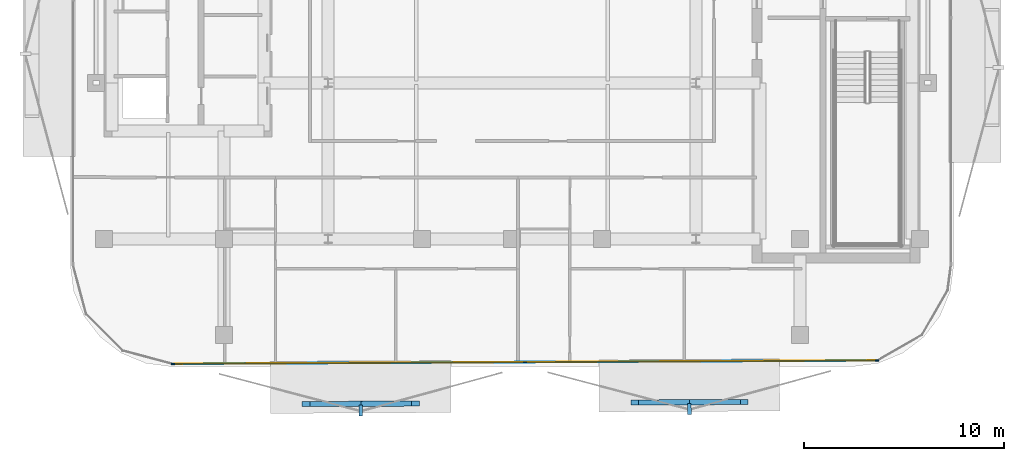
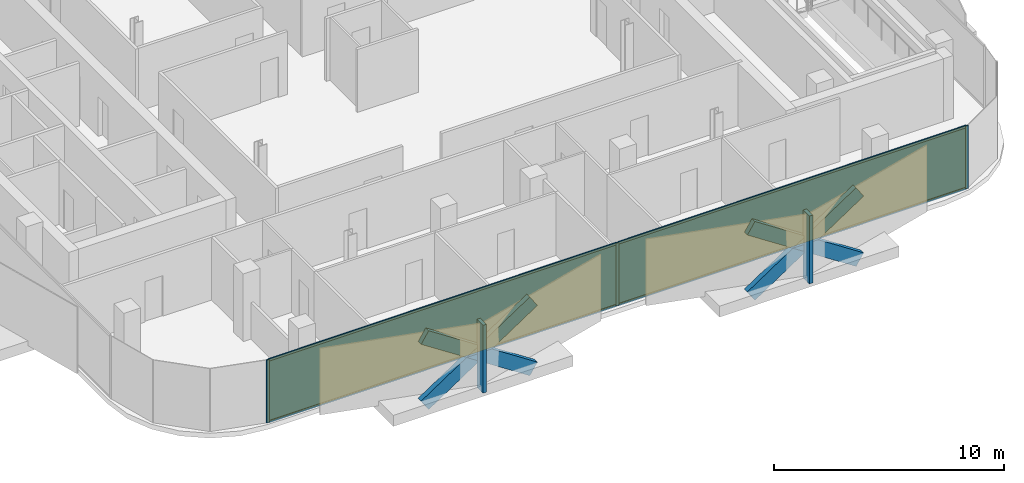
# One storey, part 8 of 16: 13 members, 2 plates, 1 curtain wall.
"""IFC4 building model written with IfcOpenShell, lengths in metres."""

from ifc_helpers import new_model, si_unit, direction, frame, frame_2d, origin, origin_2d, place, context, subcontext, project, spatial, rectangle, extrude, material, layer, layer_set, material_profile, profile_set, type_object, element, aggregate, save


model = new_model("IFC4")

# Units and contexts
model_context = context("Model", 3, precision=1e-05, world=origin(), true_north=direction((0.0, 1.0)))
body_context = subcontext(model_context, "Body", "Model", "MODEL_VIEW")
ifc_project = project(units=[si_unit("LENGTHUNIT", "METRE"), si_unit("AREAUNIT", "SQUARE_METRE"), si_unit("VOLUMEUNIT", "CUBIC_METRE"), si_unit("PLANEANGLEUNIT", "RADIAN"), si_unit("MASSUNIT", "GRAM", prefix="KILO")], contexts=[model_context])

# Member
ifc_material_1 = material(Name="Anodised Bronze Aluminium 6063-T6", Category="aluminium")
ifc_material_profile_1 = material_profile(ifc_material_1, rectangle(XDim=0.260009765625, YDim=0.699951171875, at=origin_2d()))
ifc_profile_set_1 = profile_set([ifc_material_profile_1], Name="Anodised Bronze Aluminium 6063-T6")
member_type_1 = type_object("IfcMemberType", Name="Bronze Diamond Solar-Screen Lattice Rib BDL-700", PredefinedType="MULLION", material=ifc_profile_set_1)
site_placement = place(None, origin())
building_placement = place(site_placement, origin())
storey_placement = place(building_placement, frame((0.0, 0.0, 258.39990234375)))
member_1_placement = place(storey_placement, frame((11.6142578125, -26.761962890625, -0.1298828125), z_axis=(-0.835726065421, -0.004021852556, 0.549131831419), x_axis=(-0.007495814743, 0.999963565539, -0.004084159052)))
member_1 = element("IfcMember", 1, at=member_1_placement, type_object=member_type_1, Name="L61 Bronze Diamond Solar Screen Lattice Rib 417A", PredefinedType="MULLION", context=body_context, shape_type="SweptSolid", body=[
    extrude(rectangle(XDim=0.260009765625, YDim=0.699951171875, at=origin_2d()), origin(), (0.0, 0.0, 1.0), 6.555908203125),
])

member_2_placement = place(storey_placement, frame((6.13525390625, -26.788330078125, -0.1298828125), z_axis=(0.835726065421, 0.004021852556, 0.549131831419), x_axis=(0.007495814743, -0.999963565539, -0.004084159052)))
member_2 = element("IfcMember", 2, at=member_2_placement, type_object=member_type_1, Name="L61 Bronze Diamond Solar Screen Lattice Rib 417B", PredefinedType="MULLION", context=body_context, shape_type="SweptSolid", body=[
    extrude(rectangle(XDim=0.260009765625, YDim=0.699951171875, at=origin_2d()), origin(), (0.0, 0.0, 1.0), 6.555908203125),
])

member_3_placement = place(storey_placement, frame((-4.822998046875, -26.84130859375, -0.1298828125), z_axis=(-0.835726065421, -0.004021852556, 0.549131831419), x_axis=(-0.007495814743, 0.999963565539, -0.004084159052)))
member_3 = element("IfcMember", 3, at=member_3_placement, type_object=member_type_1, Name="L61 Bronze Diamond Solar Screen Lattice Rib 418A", PredefinedType="MULLION", context=body_context, shape_type="SweptSolid", body=[
    extrude(rectangle(XDim=0.260009765625, YDim=0.699951171875, at=origin_2d()), origin(), (0.0, 0.0, 1.0), 6.555908203125),
])

member_4_placement = place(storey_placement, frame((-10.302001953125, -26.86767578125, -0.1298828125), z_axis=(0.835726065421, 0.004021852556, 0.549131831419), x_axis=(0.007495814743, -0.999963565539, -0.004084159052)))
member_4 = element("IfcMember", 4, at=member_4_placement, type_object=member_type_1, Name="L61 Bronze Diamond Solar Screen Lattice Rib 418B", PredefinedType="MULLION", context=body_context, shape_type="SweptSolid", body=[
    extrude(rectangle(XDim=0.260009765625, YDim=0.699951171875, at=origin_2d()), origin(), (0.0, 0.0, 1.0), 6.555908203125),
])

ifc_material_2 = material(Name="Anodised Bronze Aluminium 6063-T6", Category="aluminium")
ifc_material_profile_2 = material_profile(ifc_material_2, rectangle(XDim=0.179931640625, YDim=0.5400390625, at=origin_2d()))
ifc_profile_set_2 = profile_set([ifc_material_profile_2], Name="Anodised Bronze Aluminium 6063-T6")
member_type_2 = type_object("IfcMemberType", Name="Bronze Solar-Screen Vertical Fold Fin BSF-540", PredefinedType="MULLION", material=ifc_profile_set_2)
member_5_placement = place(storey_placement, frame((8.87646484375, -27.115234375, -0.1298828125), z_axis=(0.0, 0.0, 1.0), x_axis=(-0.999988059021, -0.004886902454, 0.0)))
member_5 = element("IfcMember", 5, at=member_5_placement, type_object=member_type_2, Name="L61 Bronze Solar Screen Vertical Fin 417", PredefinedType="MULLION", context=body_context, shape_type="SweptSolid", body=[
    extrude(rectangle(XDim=0.179931640625, YDim=0.5400390625, at=origin_2d()), origin(), (0.0, 0.0, 1.0), 3.60009765625),
])

member_6_placement = place(storey_placement, frame((-7.560791015625, -27.194580078125, -0.1298828125), z_axis=(0.0, 0.0, 1.0), x_axis=(-0.999988059021, -0.004886902454, 0.0)))
member_6 = element("IfcMember", 6, at=member_6_placement, type_object=member_type_2, Name="L61 Bronze Solar Screen Vertical Fin 418", PredefinedType="MULLION", context=body_context, shape_type="SweptSolid", body=[
    extrude(rectangle(XDim=0.179931640625, YDim=0.5400390625, at=origin_2d()), origin(), (0.0, 0.0, 1.0), 3.60009765625),
])

ifc_material_3 = material(Name="Anodised Bronze Aluminium 6063-T6", Category="aluminium")
ifc_material_profile_3 = material_profile(ifc_material_3, rectangle(XDim=0.06005859375, YDim=0.159912109375, at=origin_2d()))
ifc_profile_set_3 = profile_set([ifc_material_profile_3], Name="Anodised Bronze Aluminium 6063-T6")
member_type_3 = type_object("IfcMemberType", Name="CW-Z4 Mullion 60x160", PredefinedType="MULLION", material=ifc_profile_set_3)
member_7_placement = place(storey_placement, frame((18.25341796875, -24.68994140625, 0.0), z_axis=(0.0, 0.0, 1.0), x_axis=(0.004824986425, -0.999988359685, 0.0)))
member_7 = element("IfcMember", 7, at=member_7_placement, type_object=member_type_3, Name="CW-Z4 mullion 1", PredefinedType="MULLION", context=body_context, shape_type="SweptSolid", body=[
    extrude(rectangle(XDim=0.06005859375, YDim=0.159912109375, at=origin_2d()), origin(), (0.0, 0.0, 1.0), 3.340087890625),
])

member_8_placement = place(storey_placement, frame((0.646240234375, -24.77490234375, 0.0), z_axis=(0.0, 0.0, 1.0), x_axis=(0.004824986425, -0.999988359685, 0.0)))
member_8 = element("IfcMember", 8, at=member_8_placement, type_object=member_type_3, Name="CW-Z4 mullion 2", PredefinedType="MULLION", context=body_context, shape_type="SweptSolid", body=[
    extrude(rectangle(XDim=0.06005859375, YDim=0.159912109375, at=origin_2d()), origin(), (0.0, 0.0, 1.0), 3.340087890625),
])

member_9_placement = place(storey_placement, frame((-16.960693359375, -24.85986328125, 0.0), z_axis=(0.0, 0.0, 1.0), x_axis=(0.004824986425, -0.999988359685, 0.0)))
member_9 = element("IfcMember", 9, at=member_9_placement, type_object=member_type_3, Name="CW-Z4 mullion 3", PredefinedType="MULLION", context=body_context, shape_type="SweptSolid", body=[
    extrude(rectangle(XDim=0.06005859375, YDim=0.159912109375, at=origin_2d()), origin(), (0.0, 0.0, 1.0), 3.340087890625),
])

ifc_material_4 = material(Name="Anodised Bronze Aluminium 6063-T6", Category="aluminium")
ifc_material_profile_4 = material_profile(ifc_material_4, rectangle(XDim=0.06005859375, YDim=0.125, at=origin_2d()))
ifc_profile_set_4 = profile_set([ifc_material_profile_4], Name="Anodised Bronze Aluminium 6063-T6")
member_type_4 = type_object("IfcMemberType", Name="CW-Z4 Transom 60x125", PredefinedType="USERDEFINED", material=ifc_profile_set_4)
member_10_placement = place(storey_placement, frame((18.223388671875, -24.690185546875, 0.030029296875), z_axis=(-0.999988412677, -0.004813991218, 0.0), x_axis=(0.004813991218, -0.999988412677, 0.0)))
member_10 = element("IfcMember", 10, at=member_10_placement, type_object=member_type_4, Name="CW-Z4 transom 1.1", ObjectType="TRANSOM", PredefinedType="USERDEFINED", context=body_context, shape_type="SweptSolid", body=[
    extrude(rectangle(XDim=0.06005859375, YDim=0.125, at=origin_2d()), origin(), (0.0, 0.0, 1.0), 17.54736328125),
])

member_11_placement = place(storey_placement, frame((18.223388671875, -24.690185546875, 3.31005859375), z_axis=(-0.999988412677, -0.004813991218, 0.0), x_axis=(0.004813991218, -0.999988412677, 0.0)))
member_11 = element("IfcMember", 11, at=member_11_placement, type_object=member_type_4, Name="CW-Z4 transom 1.2", ObjectType="TRANSOM", PredefinedType="USERDEFINED", context=body_context, shape_type="SweptSolid", body=[
    extrude(rectangle(XDim=0.06005859375, YDim=0.125, at=origin_2d()), origin(), (0.0, 0.0, 1.0), 17.54736328125),
])

member_12_placement = place(storey_placement, frame((0.616455078125, -24.775146484375, 0.030029296875), z_axis=(-0.999988413, -0.004813924241, 0.0), x_axis=(0.004813924241, -0.999988413, 0.0)))
member_12 = element("IfcMember", 12, at=member_12_placement, type_object=member_type_4, Name="CW-Z4 transom 2.1", ObjectType="TRANSOM", PredefinedType="USERDEFINED", context=body_context, shape_type="SweptSolid", body=[
    extrude(rectangle(XDim=0.06005859375, YDim=0.125, at=origin_2d()), origin(), (0.0, 0.0, 1.0), 17.547607421875),
])

member_13_placement = place(storey_placement, frame((0.616455078125, -24.775146484375, 3.31005859375), z_axis=(-0.999988413, -0.004813924241, 0.0), x_axis=(0.004813924241, -0.999988413, 0.0)))
member_13 = element("IfcMember", 13, at=member_13_placement, type_object=member_type_4, Name="CW-Z4 transom 2.2", ObjectType="TRANSOM", PredefinedType="USERDEFINED", context=body_context, shape_type="SweptSolid", body=[
    extrude(rectangle(XDim=0.06005859375, YDim=0.125, at=origin_2d()), origin(), (0.0, 0.0, 1.0), 17.547607421875),
])

# Plate
ifc_material_5 = material(Name="Low-E Solar Control Laminated Glass", Category="glass")
ifc_layer_1 = layer(ifc_material_5, 0.030029296875, Name="Low-E Solar Control Laminated Glass")
ifc_layer_set_1 = layer_set([ifc_layer_1], Name="Low-E Solar Control Laminated Glass")
plate_type = type_object("IfcPlateType", Name="CW-Z4 Low-E Double Glazed Panel 30mm", PredefinedType="CURTAIN_PANEL", material=ifc_layer_set_1)
plate_1_placement = place(storey_placement, frame((9.449951171875, -24.732421875, 0.06005859375), z_axis=(0.0, 0.0, 1.0), x_axis=(-0.999988359685, -0.004824986425, 0.0)))
plate_1 = element("IfcPlate", 14, at=plate_1_placement, type_object=plate_type, Name="CW-Z4 panel 1.1", PredefinedType="CURTAIN_PANEL", context=body_context, shape_type="SweptSolid", body=[
    extrude(rectangle(XDim=17.54736328125, YDim=0.030029296875, at=origin_2d()), origin(), (0.0, 0.0, 1.0), 3.219970703125),
])

plate_2_placement = place(storey_placement, frame((-8.1572265625, -24.8173828125, 0.06005859375), z_axis=(0.0, 0.0, 1.0), x_axis=(-0.999988359685, -0.004824986425, 0.0)))
plate_2 = element("IfcPlate", 15, at=plate_2_placement, type_object=plate_type, Name="CW-Z4 panel 2.1", PredefinedType="CURTAIN_PANEL", context=body_context, shape_type="SweptSolid", body=[
    extrude(rectangle(XDim=17.54736328125, YDim=0.030029296875, at=origin_2d()), origin(), (0.0, 0.0, 1.0), 3.219970703125),
])

# Site, building, storey
site = spatial("IfcSite", under=ifc_project, at=site_placement, CompositionType="ELEMENT")
building = spatial("IfcBuilding", under=site, at=building_placement, Name="Khairoan Windgate Tower", CompositionType="ELEMENT")
storey = spatial("IfcBuildingStorey", under=building, at=storey_placement, Name="L61", CompositionType="ELEMENT", Elevation=258.39990234375)

# Curtain wall
ifc_material_6 = material(Name="Anodised Bronze Aluminium 6063-T6", Category="aluminium")
ifc_layer_2 = layer(ifc_material_6, 0.159912109375, Name="Anodised Bronze Aluminium 6063-T6")
ifc_layer_set_2 = layer_set([ifc_layer_2], Name="Anodised Bronze Aluminium 6063-T6")
curtain_wall_type = type_object("IfcCurtainWallType", Name="Sky Residence Unitised Curtain Wall CW-Z4", PredefinedType="NOTDEFINED", material=ifc_layer_set_2)
curtain_wall_placement = place(storey_placement, frame((18.283447265625, -24.689697265625, 0.0), z_axis=(0.0, 0.0, 1.0), x_axis=(-0.999988330836, -0.004830961808, 0.0)))
curtain_wall = element("IfcCurtainWall", 16, at=curtain_wall_placement, inside=storey, type_object=curtain_wall_type, Name="L61 Unitised Curtain Wall 1", PredefinedType="NOTDEFINED", context=body_context, shape_type="SweptSolid", body=[
    extrude(rectangle(XDim=35.274658203125, YDim=0.010009765625, at=frame_2d((17.63720703125, 0.0))), origin(), (0.0, 0.0, 1.0), 3.340087890625),
])

aggregate(curtain_wall, [member_7, member_8, member_9, member_10, member_11, plate_1, member_12, member_13, plate_2, member_1, member_2, member_5, member_3, member_4, member_6])

save(model, "model.ifc")
